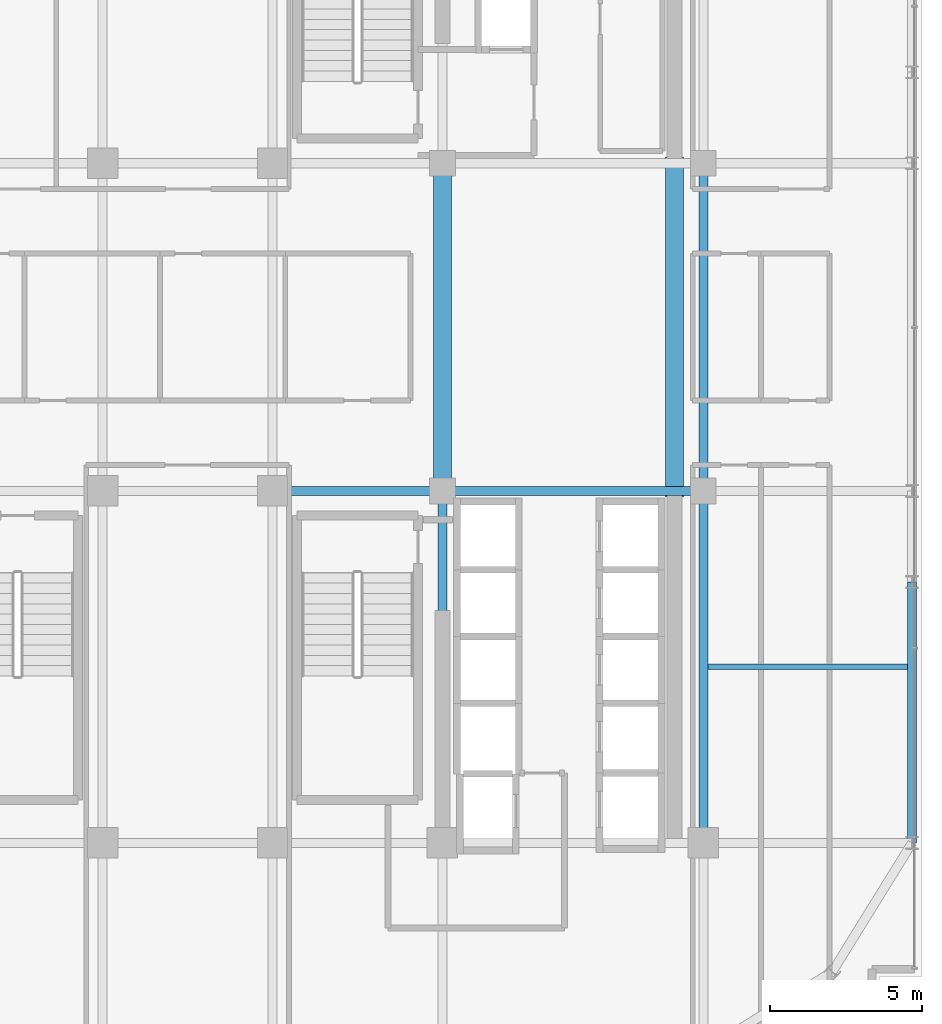
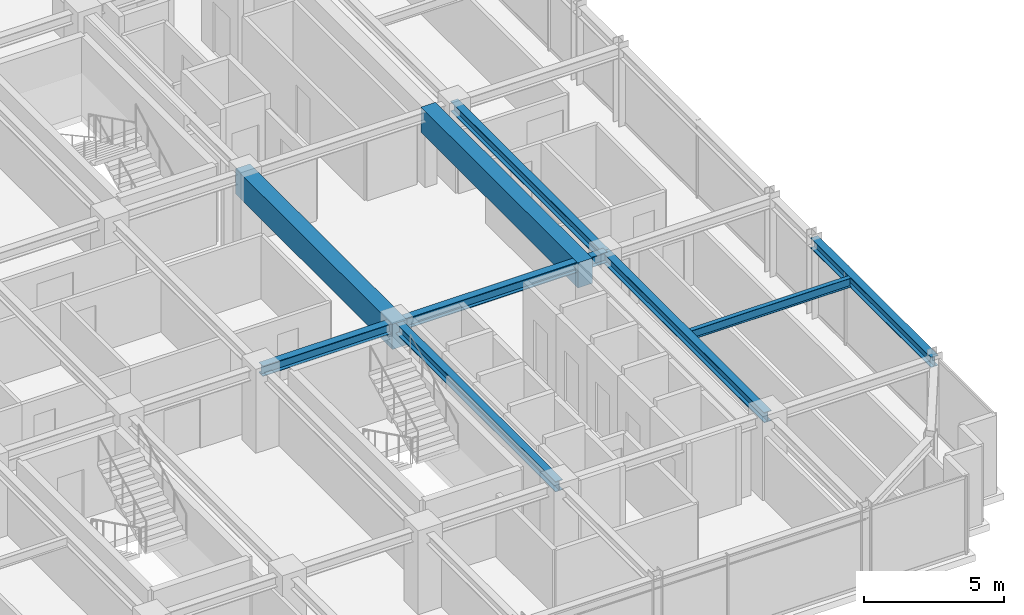
# One storey, part 15 of 35: 9 beams.
"""IFC4 building model written with IfcOpenShell, lengths in metres."""

from ifc_helpers import new_model, si_unit, direction, frame, origin, origin_2d, place, context, subcontext, project, spatial, rectangle, i_section, extrude, source, transform, mapped, material, material_profile, profile_set, type_object, element, save


model = new_model("IFC4")

# Units and contexts
model_context = context("Model", 3, precision=1e-05, world=origin(), true_north=direction((0.0, 1.0)))
body_context = subcontext(model_context, "Body", "Model", "MODEL_VIEW")
ifc_project = project(units=[si_unit("LENGTHUNIT", "METRE"), si_unit("AREAUNIT", "SQUARE_METRE"), si_unit("VOLUMEUNIT", "CUBIC_METRE"), si_unit("PLANEANGLEUNIT", "RADIAN"), si_unit("MASSUNIT", "GRAM", prefix="KILO")], contexts=[model_context])

# Site, building, storey
site_placement = place(None, origin())
site = spatial("IfcSite", under=ifc_project, at=site_placement, CompositionType="ELEMENT")
building_placement = place(site_placement, origin())
building = spatial("IfcBuilding", under=site, at=building_placement, Name="Nahalor Promenade Grand Hotel", CompositionType="ELEMENT")
storey_placement = place(building_placement, frame((0.0, 0.0, 216.0)))
storey = spatial("IfcBuildingStorey", under=building, at=storey_placement, Name="L55", CompositionType="ELEMENT", Elevation=216.0)

# Beams
ifc_material_1 = material(Name="Concrete B-60 (C50/60)", Category="concrete")
ifc_material_profile_1 = material_profile(ifc_material_1, rectangle(XDim=0.6, YDim=1.1, at=origin_2d()), Name="RC 600x1100")
ifc_profile_set_1 = profile_set([ifc_material_profile_1], Name="Concrete B-60 (C50/60)")
beam_type_1 = type_object("IfcBeamType", Name="Beam-Lintel-RC1100", PredefinedType="LINTEL", material=ifc_profile_set_1)
shared_shape_1 = source(origin(), body_context, "Body", "SweptSolid", [
    extrude(rectangle(XDim=0.6, YDim=1.1, at=origin_2d()), origin(), (0.0, 0.0, 1.0), 11.2001953125),
])
for number, where, z_axis, x_axis, name in (
    (1, (8.39990234375, -5.60009765625, 2.860107421875), (0.0, 1.0, 0.0), (-1.0, 0.0, 0.0), "BM-L55-LINT-W"),
    (2, (16.050048828125, -5.60009765625, 2.860107421875), (0.0, 1.0, 0.0), (-1.0, 0.0, 0.0), "BM-L55-LINT-E"),
):
    element("IfcBeam", number, at=place(storey_placement, frame(where, z_axis=z_axis, x_axis=x_axis)), inside=storey, type_object=beam_type_1, Name=name, PredefinedType="LINTEL", context=body_context, shape_type="MappedRepresentation", body=[
        mapped(shared_shape_1, transform((0.0, 0.0, 0.0), scale=1.0)),
    ])
ifc_material_2 = material(Name="Steel S355JR", Category="steel")
ifc_material_profile_2 = material_profile(ifc_material_2, i_section(OverallWidth=0.3, OverallDepth=0.45, WebThickness=0.014, FlangeThickness=0.026, at=origin_2d()), Name="HEB 450")
ifc_profile_set_2 = profile_set([ifc_material_profile_2], Name="Steel S355JR")
beam_type_2 = type_object("IfcBeamType", Name="Beam-Spandrel-HEB450", PredefinedType="SPANDREL", material=ifc_profile_set_2)
shared_shape_2 = source(origin(), body_context, "Body", "SweptSolid", [
    extrude(i_section(OverallWidth=0.3, OverallDepth=0.45, WebThickness=0.014, FlangeThickness=0.026, at=origin_2d()), origin(), (0.0, 0.0, 1.0), 8.60009765625),
])
beam_1_placement = place(storey_placement, frame((23.8798828125, -17.0, 3.18505859375), z_axis=(0.0, 1.0, 0.0), x_axis=(-1.0, 0.0, 0.0)))
element("IfcBeam", 3, at=beam_1_placement, inside=storey, type_object=beam_type_2, Name="BM-L55-SP-E-0", PredefinedType="SPANDREL", context=body_context, shape_type="MappedRepresentation", body=[
    mapped(shared_shape_2, transform((0.0, 0.0, 0.0), scale=1.0)),
])
ifc_material_profile_3 = material_profile(ifc_material_2, i_section(OverallWidth=0.3, OverallDepth=0.45, WebThickness=0.014, FlangeThickness=0.026, at=origin_2d()), Name="HEB 450")
ifc_profile_set_3 = profile_set([ifc_material_profile_3], Name="Steel S355JR")
beam_type_3 = type_object("IfcBeamType", Name="Beam-Girder-HEB450", PredefinedType="BEAM", material=ifc_profile_set_3)
shared_shape_3 = source(origin(), body_context, "Body", "SweptSolid", [
    extrude(i_section(OverallWidth=0.3, OverallDepth=0.45, WebThickness=0.014, FlangeThickness=0.026, at=origin_2d()), origin(), (0.0, 0.0, 1.0), 8.60009765625),
])
beam_2_placement = place(storey_placement, frame((8.39990234375, -5.39990234375, 3.18505859375), z_axis=(1.0, 0.0, 0.0), x_axis=(0.0, 1.0, 0.0)))
element("IfcBeam", 4, at=beam_2_placement, inside=storey, type_object=beam_type_3, Name="BM-L55-GX-1-5", PredefinedType="BEAM", context=body_context, shape_type="MappedRepresentation", body=[
    mapped(shared_shape_3, transform((0.0, 0.0, 0.0), scale=1.0)),
])
shared_shape_4 = source(origin(), body_context, "Body", "SweptSolid", [
    extrude(i_section(OverallWidth=0.3, OverallDepth=0.45, WebThickness=0.014, FlangeThickness=0.026, at=origin_2d()), origin(), (0.0, 0.0, 1.0), 5.599853515625),
])
beam_3_placement = place(storey_placement, frame((2.800048828125, -5.39990234375, 3.18505859375), z_axis=(1.0, 0.0, 0.0), x_axis=(0.0, 1.0, 0.0)))
element("IfcBeam", 5, at=beam_3_placement, inside=storey, type_object=beam_type_3, Name="BM-L55-GX-1-4", PredefinedType="BEAM", context=body_context, shape_type="MappedRepresentation", body=[
    mapped(shared_shape_4, transform((0.0, 0.0, 0.0), scale=1.0)),
])
shared_shape_5 = source(origin(), body_context, "Body", "SweptSolid", [
    extrude(i_section(OverallWidth=0.3, OverallDepth=0.45, WebThickness=0.014, FlangeThickness=0.026, at=origin_2d()), origin(), (0.0, 0.0, 1.0), 11.60009765625),
])
for number, where, z_axis, x_axis, name in (
    (6, (8.39990234375, -17.0, 3.18505859375), (0.0, 1.0, 0.0), (-1.0, 0.0, 0.0), "BM-L55-GY-4-1"),
    (7, (17.0, -17.0, 3.18505859375), (0.0, 1.0, 0.0), (-1.0, 0.0, 0.0), "BM-L55-GY-5-1"),
):
    element("IfcBeam", number, at=place(storey_placement, frame(where, z_axis=z_axis, x_axis=x_axis)), inside=storey, type_object=beam_type_3, Name=name, PredefinedType="BEAM", context=body_context, shape_type="MappedRepresentation", body=[
        mapped(shared_shape_5, transform((0.0, 0.0, 0.0), scale=1.0)),
    ])
shared_shape_6 = source(origin(), body_context, "Body", "SweptSolid", [
    extrude(i_section(OverallWidth=0.3, OverallDepth=0.45, WebThickness=0.014, FlangeThickness=0.026, at=origin_2d()), origin(), (0.0, 0.0, 1.0), 10.7998046875),
])
beam_4_placement = place(storey_placement, frame((17.0, -5.39990234375, 3.18505859375), z_axis=(0.0, 1.0, 0.0), x_axis=(-1.0, 0.0, 0.0)))
element("IfcBeam", 8, at=beam_4_placement, inside=storey, type_object=beam_type_3, Name="BM-L55-GY-5-2", PredefinedType="BEAM", context=body_context, shape_type="MappedRepresentation", body=[
    mapped(shared_shape_6, transform((0.0, 0.0, 0.0), scale=1.0)),
])
ifc_material_profile_4 = material_profile(ifc_material_2, i_section(OverallWidth=0.18, OverallDepth=0.4, WebThickness=0.0086, FlangeThickness=0.0135, at=origin_2d()), Name="IPE 400")
ifc_profile_set_4 = profile_set([ifc_material_profile_4], Name="Steel S355JR")
beam_type_4 = type_object("IfcBeamType", Name="Beam-Joist-IPE400", PredefinedType="JOIST", material=ifc_profile_set_4)
shared_shape_7 = source(origin(), body_context, "Body", "SweptSolid", [
    extrude(i_section(OverallWidth=0.18, OverallDepth=0.4, WebThickness=0.0086, FlangeThickness=0.0135, at=origin_2d()), origin(), (0.0, 0.0, 1.0), 6.580078125),
])
beam_5_placement = place(storey_placement, frame((17.14990234375, -11.199951171875, 3.2099609375), z_axis=(1.0, 0.0, 0.0), x_axis=(0.0, 1.0, 0.0)))
element("IfcBeam", 9, at=beam_5_placement, inside=storey, type_object=beam_type_4, Name="BM-L55-JSE-0-2", PredefinedType="JOIST", context=body_context, shape_type="MappedRepresentation", body=[
    mapped(shared_shape_7, transform((0.0, 0.0, 0.0), scale=1.0)),
])

save(model, "model.ifc")
